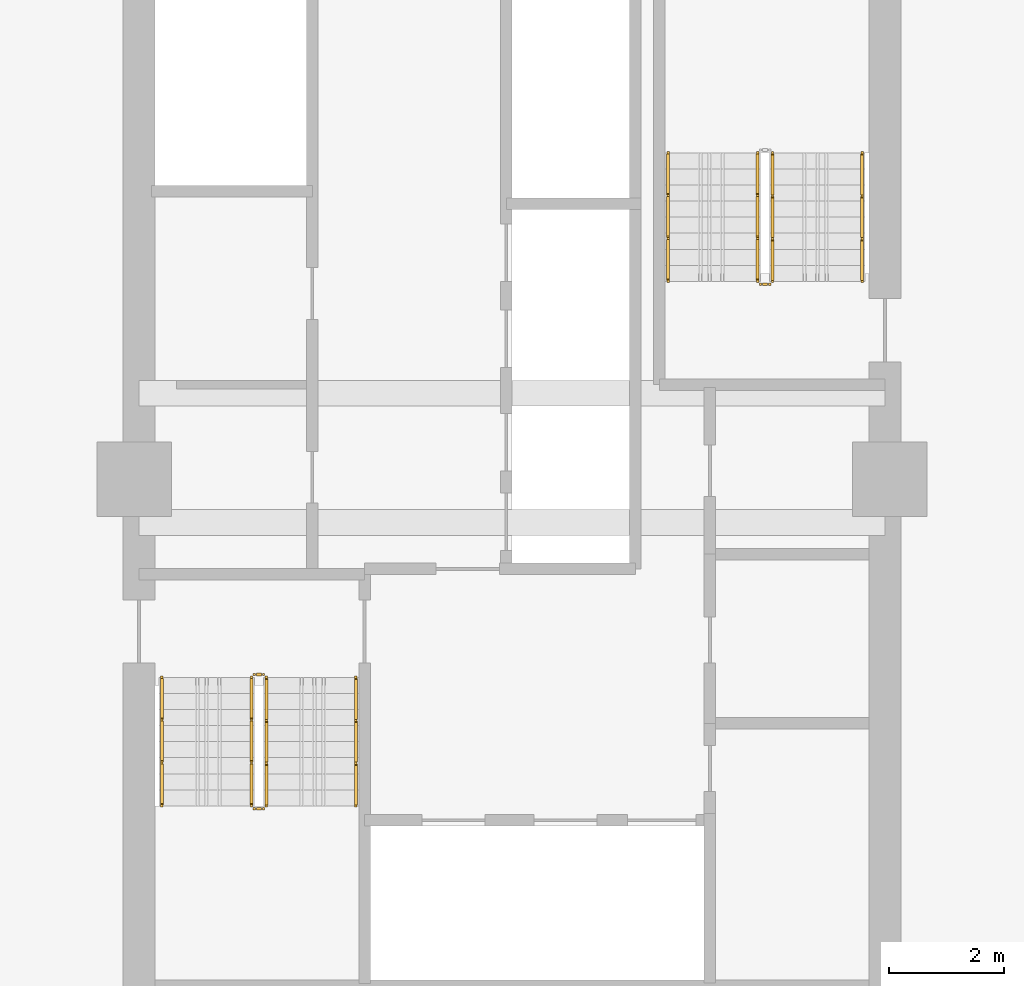
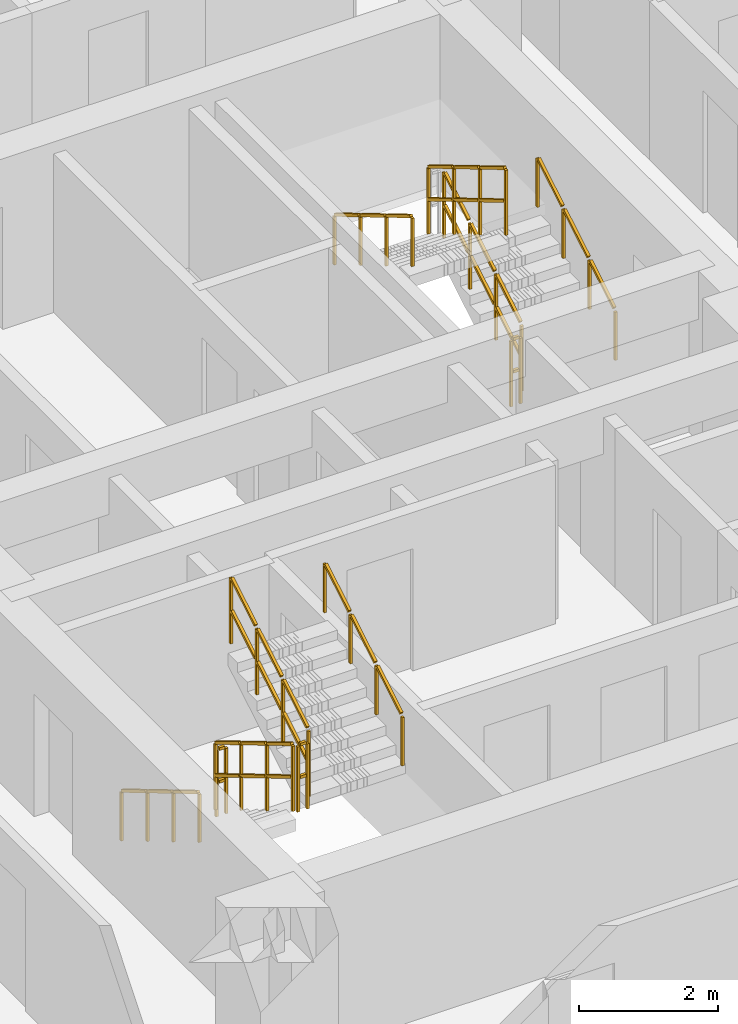
# One storey, part 22 of 24: 11 railings.
"""IFC4 building model written with IfcOpenShell, lengths in metres."""

from ifc_helpers import new_model, si_unit, direction, frame, origin, origin_2d, place, context, subcontext, project, spatial, rectangle, extrude, material, type_object, element, save


model = new_model("IFC4")

# Units and contexts
model_context = context("Model", 3, precision=1e-05, world=origin(), true_north=direction((0.0, 1.0)))
body_context = subcontext(model_context, "Body", "Model", "MODEL_VIEW")
ifc_project = project(units=[si_unit("LENGTHUNIT", "METRE"), si_unit("AREAUNIT", "SQUARE_METRE"), si_unit("VOLUMEUNIT", "CUBIC_METRE"), si_unit("PLANEANGLEUNIT", "RADIAN"), si_unit("MASSUNIT", "GRAM", prefix="KILO")], contexts=[model_context])

# Site, building, storey
site_placement = place(None, origin())
site = spatial("IfcSite", under=ifc_project, at=site_placement, CompositionType="ELEMENT")
building_placement = place(site_placement, origin())
building = spatial("IfcBuilding", under=site, at=building_placement, Name="Saelheon Loggia Tower", CompositionType="ELEMENT")
storey_placement = place(building_placement, frame((0.0, 0.0, 98.85009765625)))
storey = spatial("IfcBuildingStorey", under=building, at=storey_placement, Name="L31", CompositionType="ELEMENT", Elevation=98.85009765625)

# Railings
ifc_material_1 = material(Name="Galvanised Steel S275 Stairwell Guardrail", Category="steel")
railing_type_1 = type_object("IfcRailingType", Name="Guard_StairWell_RL_STG", PredefinedType="GUARDRAIL", material=ifc_material_1)
railing_1_placement = place(storey_placement, frame((33.4599609375, 23.550048828125, 0.16650390625)))
element("IfcRailing", 1, at=railing_1_placement, inside=storey, type_object=railing_type_1, Name="L31 ST1 stair guard 1", PredefinedType="GUARDRAIL", context=body_context, shape_type="SweptSolid", body=[
    extrude(rectangle(XDim=0.048095703125, YDim=0.048095703125, at=origin_2d()), frame((0.0, -0.028564453125, 1.19287109375), z_axis=(0.0, -0.859264461869, 0.511531606619), x_axis=(1.0, 0.0, 0.0)), (0.0, 0.0, 1.0), 0.802490234375),
    extrude(rectangle(XDim=0.048095703125, YDim=0.048095703125, at=origin_2d()), frame((0.0, -0.028564453125, 0.616943359375), z_axis=(0.0, -0.859264461869, 0.511531606619), x_axis=(1.0, 0.0, 0.0)), (0.0, 0.0, 1.0), 0.802490234375),
    extrude(rectangle(XDim=0.048095703125, YDim=0.048095703125, at=origin_2d()), frame((0.0, -0.775146484375, 1.637451171875), z_axis=(0.0, -0.859264461869, 0.511531606619), x_axis=(1.0, 0.0, 0.0)), (0.0, 0.0, 1.0), 0.802490234375),
    extrude(rectangle(XDim=0.048095703125, YDim=0.048095703125, at=origin_2d()), frame((0.0, -0.775146484375, 1.0615234375), z_axis=(0.0, -0.859264461869, 0.511531606619), x_axis=(1.0, 0.0, 0.0)), (0.0, 0.0, 1.0), 0.802490234375),
    extrude(rectangle(XDim=0.048095703125, YDim=0.048095703125, at=origin_2d()), frame((0.0, -1.52197265625, 2.081787109375), z_axis=(0.0, -0.859264461869, 0.511531606619), x_axis=(1.0, 0.0, 0.0)), (0.0, 0.0, 1.0), 0.802490234375),
    extrude(rectangle(XDim=0.048095703125, YDim=0.048095703125, at=origin_2d()), frame((0.0, -1.52197265625, 1.505859375), z_axis=(0.0, -0.859264461869, 0.511531606619), x_axis=(1.0, 0.0, 0.0)), (0.0, 0.0, 1.0), 0.802490234375),
    extrude(rectangle(XDim=0.0419921875, YDim=0.0419921875, at=origin_2d()), origin(), (0.0, 0.0, 1.0), 1.14794921875),
    extrude(rectangle(XDim=0.0419921875, YDim=0.0419921875, at=origin_2d()), frame((0.0, -0.74658203125, 0.444580078125)), (0.0, 0.0, 1.0), 1.14794921875),
    extrude(rectangle(XDim=0.0419921875, YDim=0.0419921875, at=origin_2d()), frame((0.0, -1.493408203125, 0.888916015625)), (0.0, 0.0, 1.0), 1.14794921875),
    extrude(rectangle(XDim=0.0419921875, YDim=0.0419921875, at=origin_2d()), frame((0.0, -2.239990234375, 1.33349609375)), (0.0, 0.0, 1.0), 1.14794921875),
])
railing_2_placement = place(storey_placement, frame((33.510009765625, 21.260009765625, 1.5)))
element("IfcRailing", 2, at=railing_2_placement, inside=storey, type_object=railing_type_1, Name="L31 ST1 stair guard 2", PredefinedType="GUARDRAIL", context=body_context, shape_type="SweptSolid", body=[
    extrude(rectangle(XDim=0.048095703125, YDim=0.048095703125, at=origin_2d()), frame((0.033203125, 0.0, 1.17578125), z_axis=(1.0, 0.0, 0.0), x_axis=(0.0, 1.0, 0.0)), (0.0, 0.0, 1.0), 0.093505859375),
    extrude(rectangle(XDim=0.048095703125, YDim=0.048095703125, at=origin_2d()), frame((0.033203125, 0.0, 0.60009765625), z_axis=(1.0, 0.0, 0.0), x_axis=(0.0, 1.0, 0.0)), (0.0, 0.0, 1.0), 0.093505859375),
    extrude(rectangle(XDim=0.0419921875, YDim=0.0419921875, at=origin_2d()), origin(), (0.0, 0.0, 1.0), 1.14794921875),
    extrude(rectangle(XDim=0.0419921875, YDim=0.0419921875, at=origin_2d()), frame((0.159912109375, 0.0, 0.0)), (0.0, 0.0, 1.0), 1.14794921875),
])
railing_3_placement = place(storey_placement, frame((33.719970703125, 21.31005859375, 1.66650390625)))
element("IfcRailing", 3, at=railing_3_placement, inside=storey, type_object=railing_type_1, Name="L31 ST1 stair guard 3", PredefinedType="GUARDRAIL", context=body_context, shape_type="SweptSolid", body=[
    extrude(rectangle(XDim=0.048095703125, YDim=0.048095703125, at=origin_2d()), frame((0.0, 0.028564453125, 1.19287109375), z_axis=(0.0, 0.859264461869, 0.511531606619), x_axis=(-1.0, 0.0, 0.0)), (0.0, 0.0, 1.0), 0.802490234375),
    extrude(rectangle(XDim=0.048095703125, YDim=0.048095703125, at=origin_2d()), frame((0.0, 0.028564453125, 0.616943359375), z_axis=(0.0, 0.859264461869, 0.511531606619), x_axis=(-1.0, 0.0, 0.0)), (0.0, 0.0, 1.0), 0.802490234375),
    extrude(rectangle(XDim=0.048095703125, YDim=0.048095703125, at=origin_2d()), frame((0.0, 0.775146484375, 1.637451171875), z_axis=(0.0, 0.859264461869, 0.511531606619), x_axis=(-1.0, 0.0, 0.0)), (0.0, 0.0, 1.0), 0.802490234375),
    extrude(rectangle(XDim=0.048095703125, YDim=0.048095703125, at=origin_2d()), frame((0.0, 0.775146484375, 1.0615234375), z_axis=(0.0, 0.859264461869, 0.511531606619), x_axis=(-1.0, 0.0, 0.0)), (0.0, 0.0, 1.0), 0.802490234375),
    extrude(rectangle(XDim=0.048095703125, YDim=0.048095703125, at=origin_2d()), frame((0.0, 1.52197265625, 2.081787109375), z_axis=(0.0, 0.859264461869, 0.511531606619), x_axis=(-1.0, 0.0, 0.0)), (0.0, 0.0, 1.0), 0.802490234375),
    extrude(rectangle(XDim=0.048095703125, YDim=0.048095703125, at=origin_2d()), frame((0.0, 1.52197265625, 1.505859375), z_axis=(0.0, 0.859264461869, 0.511531606619), x_axis=(-1.0, 0.0, 0.0)), (0.0, 0.0, 1.0), 0.802490234375),
    extrude(rectangle(XDim=0.0419921875, YDim=0.0419921875, at=origin_2d()), origin(), (0.0, 0.0, 1.0), 1.14794921875),
    extrude(rectangle(XDim=0.0419921875, YDim=0.0419921875, at=origin_2d()), frame((0.0, 0.74658203125, 0.444580078125)), (0.0, 0.0, 1.0), 1.14794921875),
    extrude(rectangle(XDim=0.0419921875, YDim=0.0419921875, at=origin_2d()), frame((0.0, 1.493408203125, 0.888916015625)), (0.0, 0.0, 1.0), 1.14794921875),
    extrude(rectangle(XDim=0.0419921875, YDim=0.0419921875, at=origin_2d()), frame((0.0, 2.239990234375, 1.33349609375)), (0.0, 0.0, 1.0), 1.14794921875),
])
railing_4_placement = place(storey_placement, frame((33.510009765625, 23.60009765625, 0.0)))
element("IfcRailing", 4, at=railing_4_placement, inside=storey, type_object=railing_type_1, Name="L31 ST1 stair guard 4", PredefinedType="GUARDRAIL", context=body_context, shape_type="SweptSolid", body=[
    extrude(rectangle(XDim=0.048095703125, YDim=0.048095703125, at=origin_2d()), frame((0.033203125, 0.0, 1.17578125), z_axis=(1.0, 0.0, 0.0), x_axis=(0.0, 1.0, 0.0)), (0.0, 0.0, 1.0), 0.093505859375),
    extrude(rectangle(XDim=0.048095703125, YDim=0.048095703125, at=origin_2d()), frame((0.033203125, 0.0, 0.60009765625), z_axis=(1.0, 0.0, 0.0), x_axis=(0.0, 1.0, 0.0)), (0.0, 0.0, 1.0), 0.093505859375),
    extrude(rectangle(XDim=0.0419921875, YDim=0.0419921875, at=origin_2d()), origin(), (0.0, 0.0, 1.0), 1.14794921875),
    extrude(rectangle(XDim=0.0419921875, YDim=0.0419921875, at=origin_2d()), frame((0.159912109375, 0.0, 0.0)), (0.0, 0.0, 1.0), 1.14794921875),
])
railing_5_placement = place(storey_placement, frame((42.5400390625, 30.449951171875, 0.16650390625)))
element("IfcRailing", 5, at=railing_5_placement, inside=storey, type_object=railing_type_1, Name="L31 ST2 stair guard 1", PredefinedType="GUARDRAIL", context=body_context, shape_type="SweptSolid", body=[
    extrude(rectangle(XDim=0.048095703125, YDim=0.048095703125, at=origin_2d()), frame((0.0, 0.028564453125, 1.19287109375), z_axis=(0.0, 0.859264461869, 0.511531606619), x_axis=(-1.0, 0.0, 0.0)), (0.0, 0.0, 1.0), 0.802490234375),
    extrude(rectangle(XDim=0.048095703125, YDim=0.048095703125, at=origin_2d()), frame((0.0, 0.028564453125, 0.616943359375), z_axis=(0.0, 0.859264461869, 0.511531606619), x_axis=(-1.0, 0.0, 0.0)), (0.0, 0.0, 1.0), 0.802490234375),
    extrude(rectangle(XDim=0.048095703125, YDim=0.048095703125, at=origin_2d()), frame((0.0, 0.775146484375, 1.637451171875), z_axis=(0.0, 0.859264461869, 0.511531606619), x_axis=(-1.0, 0.0, 0.0)), (0.0, 0.0, 1.0), 0.802490234375),
    extrude(rectangle(XDim=0.048095703125, YDim=0.048095703125, at=origin_2d()), frame((0.0, 0.775146484375, 1.0615234375), z_axis=(0.0, 0.859264461869, 0.511531606619), x_axis=(-1.0, 0.0, 0.0)), (0.0, 0.0, 1.0), 0.802490234375),
    extrude(rectangle(XDim=0.048095703125, YDim=0.048095703125, at=origin_2d()), frame((0.0, 1.52197265625, 2.081787109375), z_axis=(0.0, 0.859264461869, 0.511531606619), x_axis=(-1.0, 0.0, 0.0)), (0.0, 0.0, 1.0), 0.802490234375),
    extrude(rectangle(XDim=0.048095703125, YDim=0.048095703125, at=origin_2d()), frame((0.0, 1.52197265625, 1.505859375), z_axis=(0.0, 0.859264461869, 0.511531606619), x_axis=(-1.0, 0.0, 0.0)), (0.0, 0.0, 1.0), 0.802490234375),
    extrude(rectangle(XDim=0.0419921875, YDim=0.0419921875, at=origin_2d()), origin(), (0.0, 0.0, 1.0), 1.14794921875),
    extrude(rectangle(XDim=0.0419921875, YDim=0.0419921875, at=origin_2d()), frame((0.0, 0.74658203125, 0.444580078125)), (0.0, 0.0, 1.0), 1.14794921875),
    extrude(rectangle(XDim=0.0419921875, YDim=0.0419921875, at=origin_2d()), frame((0.0, 1.493408203125, 0.888916015625)), (0.0, 0.0, 1.0), 1.14794921875),
    extrude(rectangle(XDim=0.0419921875, YDim=0.0419921875, at=origin_2d()), frame((0.0, 2.239990234375, 1.33349609375)), (0.0, 0.0, 1.0), 1.14794921875),
])
railing_6_placement = place(storey_placement, frame((42.280029296875, 32.68994140625, 1.66650390625)))
element("IfcRailing", 6, at=railing_6_placement, inside=storey, type_object=railing_type_1, Name="L31 ST2 stair guard 3", PredefinedType="GUARDRAIL", context=body_context, shape_type="SweptSolid", body=[
    extrude(rectangle(XDim=0.048095703125, YDim=0.048095703125, at=origin_2d()), frame((0.0, -0.028564453125, 1.19287109375), z_axis=(0.0, -0.859264461869, 0.511531606619), x_axis=(1.0, 0.0, 0.0)), (0.0, 0.0, 1.0), 0.802490234375),
    extrude(rectangle(XDim=0.048095703125, YDim=0.048095703125, at=origin_2d()), frame((0.0, -0.028564453125, 0.616943359375), z_axis=(0.0, -0.859264461869, 0.511531606619), x_axis=(1.0, 0.0, 0.0)), (0.0, 0.0, 1.0), 0.802490234375),
    extrude(rectangle(XDim=0.048095703125, YDim=0.048095703125, at=origin_2d()), frame((0.0, -0.775146484375, 1.637451171875), z_axis=(0.0, -0.859264461869, 0.511531606619), x_axis=(1.0, 0.0, 0.0)), (0.0, 0.0, 1.0), 0.802490234375),
    extrude(rectangle(XDim=0.048095703125, YDim=0.048095703125, at=origin_2d()), frame((0.0, -0.775146484375, 1.0615234375), z_axis=(0.0, -0.859264461869, 0.511531606619), x_axis=(1.0, 0.0, 0.0)), (0.0, 0.0, 1.0), 0.802490234375),
    extrude(rectangle(XDim=0.048095703125, YDim=0.048095703125, at=origin_2d()), frame((0.0, -1.52197265625, 2.081787109375), z_axis=(0.0, -0.859264461869, 0.511531606619), x_axis=(1.0, 0.0, 0.0)), (0.0, 0.0, 1.0), 0.802490234375),
    extrude(rectangle(XDim=0.048095703125, YDim=0.048095703125, at=origin_2d()), frame((0.0, -1.52197265625, 1.505859375), z_axis=(0.0, -0.859264461869, 0.511531606619), x_axis=(1.0, 0.0, 0.0)), (0.0, 0.0, 1.0), 0.802490234375),
    extrude(rectangle(XDim=0.0419921875, YDim=0.0419921875, at=origin_2d()), origin(), (0.0, 0.0, 1.0), 1.14794921875),
    extrude(rectangle(XDim=0.0419921875, YDim=0.0419921875, at=origin_2d()), frame((0.0, -0.74658203125, 0.444580078125)), (0.0, 0.0, 1.0), 1.14794921875),
    extrude(rectangle(XDim=0.0419921875, YDim=0.0419921875, at=origin_2d()), frame((0.0, -1.493408203125, 0.888916015625)), (0.0, 0.0, 1.0), 1.14794921875),
    extrude(rectangle(XDim=0.0419921875, YDim=0.0419921875, at=origin_2d()), frame((0.0, -2.239990234375, 1.33349609375)), (0.0, 0.0, 1.0), 1.14794921875),
])
railing_7_placement = place(storey_placement, frame((42.489990234375, 30.39990234375, 0.0)))
element("IfcRailing", 7, at=railing_7_placement, inside=storey, type_object=railing_type_1, Name="L31 ST2 stair guard 4", PredefinedType="GUARDRAIL", context=body_context, shape_type="SweptSolid", body=[
    extrude(rectangle(XDim=0.048095703125, YDim=0.048095703125, at=origin_2d()), frame((-0.033203125, 0.0, 1.17578125), z_axis=(-1.0, 0.0, 0.0), x_axis=(0.0, -1.0, 0.0)), (0.0, 0.0, 1.0), 0.093505859375),
    extrude(rectangle(XDim=0.048095703125, YDim=0.048095703125, at=origin_2d()), frame((-0.033203125, 0.0, 0.60009765625), z_axis=(-1.0, 0.0, 0.0), x_axis=(0.0, -1.0, 0.0)), (0.0, 0.0, 1.0), 0.093505859375),
    extrude(rectangle(XDim=0.0419921875, YDim=0.0419921875, at=origin_2d()), origin(), (0.0, 0.0, 1.0), 1.14794921875),
    extrude(rectangle(XDim=0.0419921875, YDim=0.0419921875, at=origin_2d()), frame((-0.159912109375, 0.0, 0.0)), (0.0, 0.0, 1.0), 1.14794921875),
])
ifc_material_2 = material(Name="Stainless Steel 304 Tubular Handrail", Category="steel")
railing_type_2 = type_object("IfcRailingType", Name="Handrail_Stair_RL_HR1", PredefinedType="HANDRAIL", material=ifc_material_2)
railing_8_placement = place(storey_placement, frame((31.89990234375, 23.550048828125, 0.16650390625)))
element("IfcRailing", 8, at=railing_8_placement, inside=storey, type_object=railing_type_2, Name="L31 ST1 stair handrail 1", PredefinedType="HANDRAIL", context=body_context, shape_type="SweptSolid", body=[
    extrude(rectangle(XDim=0.048095703125, YDim=0.048095703125, at=origin_2d()), frame((0.0, -0.028564453125, 0.892822265625), z_axis=(0.0, -0.859264461869, 0.511531606619), x_axis=(1.0, 0.0, 0.0)), (0.0, 0.0, 1.0), 0.802490234375),
    extrude(rectangle(XDim=0.048095703125, YDim=0.048095703125, at=origin_2d()), frame((0.0, -0.775146484375, 1.33740234375), z_axis=(0.0, -0.859264461869, 0.511531606619), x_axis=(1.0, 0.0, 0.0)), (0.0, 0.0, 1.0), 0.802490234375),
    extrude(rectangle(XDim=0.048095703125, YDim=0.048095703125, at=origin_2d()), frame((0.0, -1.52197265625, 1.78173828125), z_axis=(0.0, -0.859264461869, 0.511531606619), x_axis=(1.0, 0.0, 0.0)), (0.0, 0.0, 1.0), 0.802490234375),
    extrude(rectangle(XDim=0.0419921875, YDim=0.0419921875, at=origin_2d()), origin(), (0.0, 0.0, 1.0), 0.847900390625),
    extrude(rectangle(XDim=0.0419921875, YDim=0.0419921875, at=origin_2d()), frame((0.0, -0.74658203125, 0.444580078125)), (0.0, 0.0, 1.0), 0.847900390625),
    extrude(rectangle(XDim=0.0419921875, YDim=0.0419921875, at=origin_2d()), frame((0.0, -1.493408203125, 0.888916015625)), (0.0, 0.0, 1.0), 0.847900390625),
    extrude(rectangle(XDim=0.0419921875, YDim=0.0419921875, at=origin_2d()), frame((0.0, -2.239990234375, 1.33349609375)), (0.0, 0.0, 1.0), 0.847900390625),
])
for number, where, name in (
    (9, (35.280029296875, 21.31005859375, 1.66650390625), "L31 ST1 stair handrail 2"),
    (10, (44.10009765625, 30.449951171875, 0.16650390625), "L31 ST2 stair handrail 1"),
):
    element("IfcRailing", number, at=place(storey_placement, frame(where)), inside=storey, type_object=railing_type_2, Name=name, PredefinedType="HANDRAIL", context=body_context, shape_type="SweptSolid", body=[
        extrude(rectangle(XDim=0.048095703125, YDim=0.048095703125, at=origin_2d()), frame((0.0, 0.028564453125, 0.892822265625), z_axis=(0.0, 0.859264461869, 0.511531606619), x_axis=(-1.0, 0.0, 0.0)), (0.0, 0.0, 1.0), 0.802490234375),
        extrude(rectangle(XDim=0.048095703125, YDim=0.048095703125, at=origin_2d()), frame((0.0, 0.775146484375, 1.33740234375), z_axis=(0.0, 0.859264461869, 0.511531606619), x_axis=(-1.0, 0.0, 0.0)), (0.0, 0.0, 1.0), 0.802490234375),
        extrude(rectangle(XDim=0.048095703125, YDim=0.048095703125, at=origin_2d()), frame((0.0, 1.52197265625, 1.78173828125), z_axis=(0.0, 0.859264461869, 0.511531606619), x_axis=(-1.0, 0.0, 0.0)), (0.0, 0.0, 1.0), 0.802490234375),
        extrude(rectangle(XDim=0.0419921875, YDim=0.0419921875, at=origin_2d()), origin(), (0.0, 0.0, 1.0), 0.847900390625),
        extrude(rectangle(XDim=0.0419921875, YDim=0.0419921875, at=origin_2d()), frame((0.0, 0.74658203125, 0.444580078125)), (0.0, 0.0, 1.0), 0.847900390625),
        extrude(rectangle(XDim=0.0419921875, YDim=0.0419921875, at=origin_2d()), frame((0.0, 1.493408203125, 0.888916015625)), (0.0, 0.0, 1.0), 0.847900390625),
        extrude(rectangle(XDim=0.0419921875, YDim=0.0419921875, at=origin_2d()), frame((0.0, 2.239990234375, 1.33349609375)), (0.0, 0.0, 1.0), 0.847900390625),
    ])
railing_9_placement = place(storey_placement, frame((40.719970703125, 32.68994140625, 1.66650390625)))
element("IfcRailing", 11, at=railing_9_placement, inside=storey, type_object=railing_type_2, Name="L31 ST2 stair handrail 2", PredefinedType="HANDRAIL", context=body_context, shape_type="SweptSolid", body=[
    extrude(rectangle(XDim=0.048095703125, YDim=0.048095703125, at=origin_2d()), frame((0.0, -0.028564453125, 0.892822265625), z_axis=(0.0, -0.859264461869, 0.511531606619), x_axis=(1.0, 0.0, 0.0)), (0.0, 0.0, 1.0), 0.802490234375),
    extrude(rectangle(XDim=0.048095703125, YDim=0.048095703125, at=origin_2d()), frame((0.0, -0.775146484375, 1.33740234375), z_axis=(0.0, -0.859264461869, 0.511531606619), x_axis=(1.0, 0.0, 0.0)), (0.0, 0.0, 1.0), 0.802490234375),
    extrude(rectangle(XDim=0.048095703125, YDim=0.048095703125, at=origin_2d()), frame((0.0, -1.52197265625, 1.78173828125), z_axis=(0.0, -0.859264461869, 0.511531606619), x_axis=(1.0, 0.0, 0.0)), (0.0, 0.0, 1.0), 0.802490234375),
    extrude(rectangle(XDim=0.0419921875, YDim=0.0419921875, at=origin_2d()), origin(), (0.0, 0.0, 1.0), 0.847900390625),
    extrude(rectangle(XDim=0.0419921875, YDim=0.0419921875, at=origin_2d()), frame((0.0, -0.74658203125, 0.444580078125)), (0.0, 0.0, 1.0), 0.847900390625),
    extrude(rectangle(XDim=0.0419921875, YDim=0.0419921875, at=origin_2d()), frame((0.0, -1.493408203125, 0.888916015625)), (0.0, 0.0, 1.0), 0.847900390625),
    extrude(rectangle(XDim=0.0419921875, YDim=0.0419921875, at=origin_2d()), frame((0.0, -2.239990234375, 1.33349609375)), (0.0, 0.0, 1.0), 0.847900390625),
])

save(model, "model.ifc")
